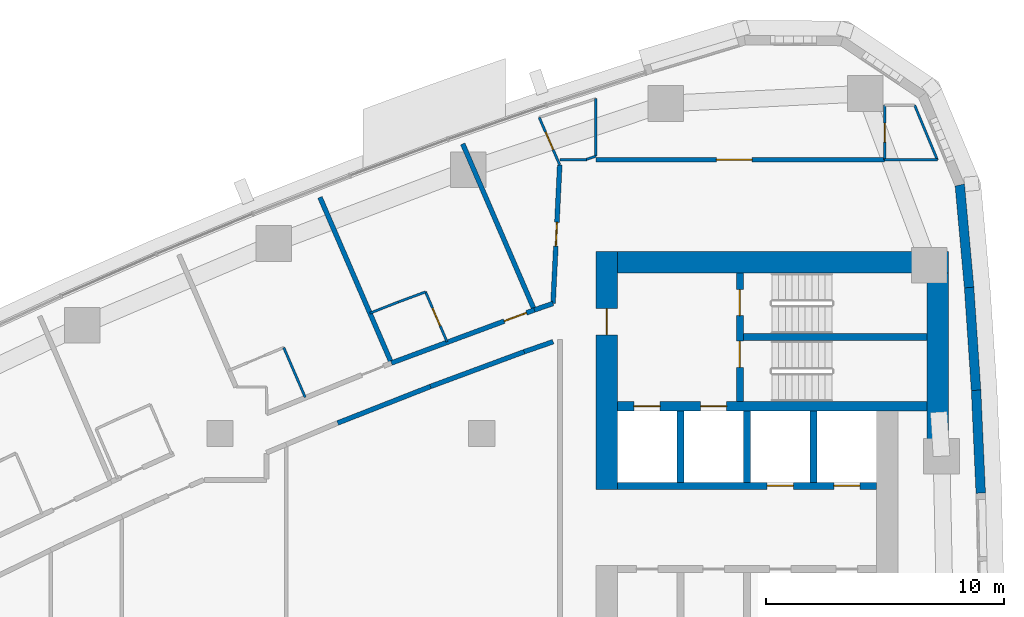
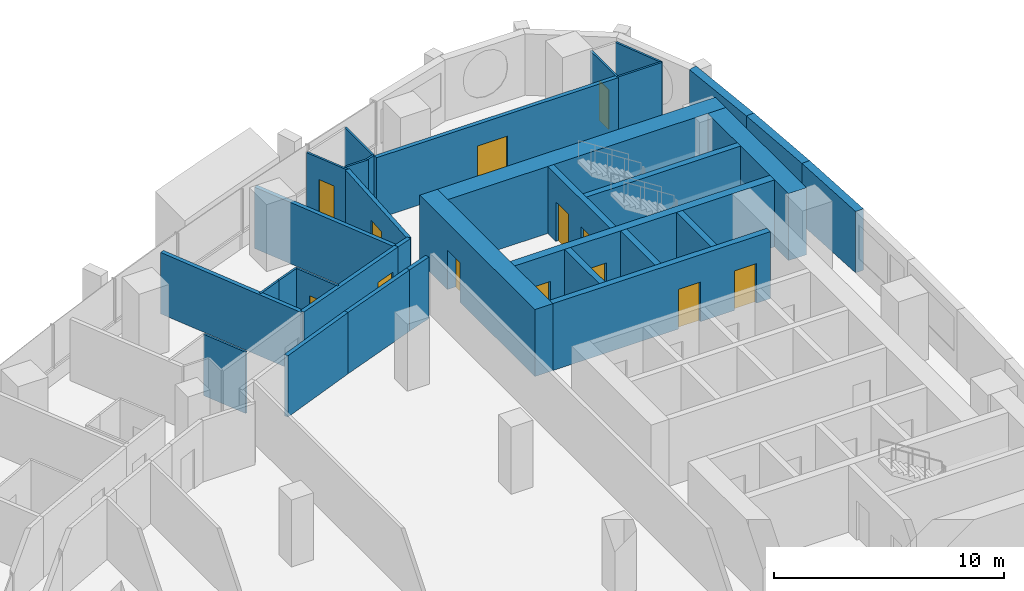
# One storey, part 12 of 17: 33 walls, 13 doors, 13 openings.
"""IFC4 building model written with IfcOpenShell, lengths in metres."""

from ifc_helpers import new_model, si_unit, direction, frame, frame_2d, origin, place, context, subcontext, project, spatial, polyline, rectangle, outline, extrude, material, layer, layer_set, type_object, element, fill, save


model = new_model("IFC4")

# Units and contexts
model_context = context("Model", 3, precision=1e-05, world=origin(), true_north=direction((0.0, 1.0)))
body_context = subcontext(model_context, "Body", "Model", "MODEL_VIEW")
ifc_project = project(units=[si_unit("LENGTHUNIT", "METRE"), si_unit("AREAUNIT", "SQUARE_METRE"), si_unit("VOLUMEUNIT", "CUBIC_METRE"), si_unit("PLANEANGLEUNIT", "RADIAN"), si_unit("MASSUNIT", "GRAM", prefix="KILO")], contexts=[model_context])

# Site, building, storey
site_placement = place(None, origin())
site = spatial("IfcSite", under=ifc_project, at=site_placement, CompositionType="ELEMENT")
building_placement = place(site_placement, origin())
building = spatial("IfcBuilding", under=site, at=building_placement, Name="Ostrand Prow Hotel Tower", CompositionType="ELEMENT")
storey_placement = place(building_placement, frame((0.0, 0.0, 151.5)))
storey = spatial("IfcBuildingStorey", under=building, at=storey_placement, Name="L37", CompositionType="ELEMENT", Elevation=151.5)

# Wall, openings, doors
ifc_material_1 = material(Name="Concrete C70/85", Category="concrete")
ifc_layer_1 = layer(ifc_material_1, 0.300048828125)
ifc_layer_set_1 = layer_set([ifc_layer_1], Name="Concrete C70/85")
wall_type_1 = type_object("IfcWallType", Name="Core wall 300 C70/85", PredefinedType="SHEAR", material=ifc_layer_set_1)
wall_1_placement = place(storey_placement, frame((50.699951171875, 6.800048828125, 0.0), z_axis=(0.0, 0.0, 1.0), x_axis=(1.0, 0.0, 0.0)))
wall_1 = element("IfcWall", 1, at=wall_1_placement, inside=storey, type_object=wall_type_1, Name="Core wall PW-L2-N", PredefinedType="SHEAR", context=body_context, shape_type="SweptSolid", body=[
    extrude(rectangle(XDim=10.900146484375, YDim=0.300048828125, at=frame_2d((5.4501953125, 0.0))), origin(), (0.0, 0.0, 1.0), 3.550048828125),
])
opening_1_placement = place(wall_1_placement, frame((6.300048828125, 0.0, 0.0)))
opening_1 = element("IfcOpeningElement", 2, at=opening_1_placement, cuts=wall_1, Name="Opening LD", PredefinedType="OPENING", context=body_context, shape_type="SweptSolid", body=[
    extrude(rectangle(XDim=1.10009765625, YDim=2.10009765625, at=frame_2d((0.550048828125, 1.050048828125))), frame((0.0, 0.159912109375, 0.0), z_axis=(0.0, -1.0, 0.0), x_axis=(1.0, 0.0, 0.0)), (0.0, 0.0, 1.0), 0.320068359375),
])
opening_2_placement = place(wall_1_placement, frame((9.10009765625, 0.0, 0.0)))
opening_2 = element("IfcOpeningElement", 3, at=opening_2_placement, cuts=wall_1, Name="Opening LD", PredefinedType="OPENING", context=body_context, shape_type="SweptSolid", body=[
    extrude(rectangle(XDim=1.10009765625, YDim=2.10009765625, at=frame_2d((0.550048828125, 1.050048828125))), frame((0.0, 0.159912109375, 0.0), z_axis=(0.0, -1.0, 0.0), x_axis=(1.0, 0.0, 0.0)), (0.0, 0.0, 1.0), 0.320068359375),
])
ifc_material_2 = material(Name="Stainless steel door", Category="steel")
door_type_1 = type_object("IfcDoorType", Name="Lift landing door 1100", OperationType="DOUBLE_DOOR_SLIDING", PredefinedType="DOOR", material=ifc_material_2)
door_1_placement = place(opening_1_placement, origin())
door_1 = element("IfcDoor", 4, at=door_1_placement, inside=storey, type_object=door_type_1, Name="LIFT LANDING DOOR", OperationType="DOUBLE_DOOR_SLIDING", OverallHeight=2.10009765625, OverallWidth=1.10009765625, PredefinedType="DOOR", context=body_context, shape_type="SweptSolid", body=[
    extrude(rectangle(XDim=1.10009765625, YDim=2.10009765625, at=frame_2d((0.550048828125, 1.050048828125))), frame((0.0, 0.02490234375, 0.0), z_axis=(0.0, -1.0, 0.0), x_axis=(1.0, 0.0, 0.0)), (0.0, 0.0, 1.0), 0.050048828125),
])
fill(opening_1, door_1)
door_2_placement = place(opening_2_placement, origin())
door_2 = element("IfcDoor", 5, at=door_2_placement, inside=storey, type_object=door_type_1, Name="LIFT LANDING DOOR", OperationType="DOUBLE_DOOR_SLIDING", OverallHeight=2.10009765625, OverallWidth=1.10009765625, PredefinedType="DOOR", context=body_context, shape_type="SweptSolid", body=[
    extrude(rectangle(XDim=1.10009765625, YDim=2.10009765625, at=frame_2d((0.550048828125, 1.050048828125))), frame((0.0, 0.02490234375, 0.0), z_axis=(0.0, -1.0, 0.0), x_axis=(1.0, 0.0, 0.0)), (0.0, 0.0, 1.0), 0.050048828125),
])
fill(opening_2, door_2)

# Walls
for number, where, z_axis, x_axis, name in (
    (6, (53.35009765625, 6.949951171875, 0.0), (0.0, 0.0, 1.0), (0.0, 1.0, 0.0), "Core wall PW-R1-NA"),
    (7, (56.14990234375, 6.949951171875, 0.0), (0.0, 0.0, 1.0), (0.0, 1.0, 0.0), "Core wall PW-R2-NA"),
    (8, (58.949951171875, 6.949951171875, 0.0), (0.0, 0.0, 1.0), (0.0, 1.0, 0.0), "Core wall PW-R3-NA"),
):
    element("IfcWall", number, at=place(storey_placement, frame(where, z_axis=z_axis, x_axis=x_axis)), inside=storey, type_object=wall_type_1, Name=name, PredefinedType="SHEAR", context=body_context, shape_type="SweptSolid", body=[
        extrude(rectangle(XDim=3.0, YDim=0.300048828125, at=frame_2d((1.5, 0.0))), origin(), (0.0, 0.0, 1.0), 3.550048828125),
    ])

# Wall, openings, doors
wall_2_placement = place(storey_placement, frame((55.85009765625, 10.35009765625, 0.0), z_axis=(0.0, 0.0, 1.0), x_axis=(0.0, 1.0, 0.0)))
wall_2 = element("IfcWall", 9, at=wall_2_placement, inside=storey, type_object=wall_type_1, Name="Core wall PW-VN", PredefinedType="SHEAR", context=body_context, shape_type="SweptSolid", body=[
    extrude(rectangle(XDim=5.39990234375, YDim=0.300048828125, at=frame_2d((2.699951171875, 0.0))), origin(), (0.0, 0.0, 1.0), 3.550048828125),
])
opening_3_placement = place(wall_2_placement, frame((1.429931640625, 0.0, 0.0)))
opening_3 = element("IfcOpeningElement", 10, at=opening_3_placement, cuts=wall_2, Name="Opening FD1", PredefinedType="OPENING", context=body_context, shape_type="SweptSolid", body=[
    extrude(rectangle(XDim=1.10009765625, YDim=2.10009765625, at=frame_2d((0.550048828125, 1.050048828125))), frame((0.0, 0.159912109375, 0.0), z_axis=(0.0, -1.0, 0.0), x_axis=(1.0, 0.0, 0.0)), (0.0, 0.0, 1.0), 0.320068359375),
])
opening_4_placement = place(wall_2_placement, frame((3.60009765625, 0.0, 0.0)))
opening_4 = element("IfcOpeningElement", 11, at=opening_4_placement, cuts=wall_2, Name="Opening FD1", PredefinedType="OPENING", context=body_context, shape_type="SweptSolid", body=[
    extrude(rectangle(XDim=1.10009765625, YDim=2.10009765625, at=frame_2d((0.550048828125, 1.050048828125))), frame((0.0, 0.159912109375, 0.0), z_axis=(0.0, -1.0, 0.0), x_axis=(1.0, 0.0, 0.0)), (0.0, 0.0, 1.0), 0.320068359375),
])
ifc_material_3 = material(Name="Steel fire door", Category="steel")
door_type_2 = type_object("IfcDoorType", Name="Fire door 1100 EI120", OperationType="SINGLE_SWING_RIGHT", PredefinedType="DOOR", material=ifc_material_3)
door_3_placement = place(opening_3_placement, origin())
door_3 = element("IfcDoor", 12, at=door_3_placement, inside=storey, type_object=door_type_2, Name="FIRE DOOR", OperationType="SINGLE_SWING_RIGHT", OverallHeight=2.10009765625, OverallWidth=1.10009765625, PredefinedType="DOOR", context=body_context, shape_type="SweptSolid", body=[
    extrude(rectangle(XDim=1.10009765625, YDim=2.10009765625, at=frame_2d((0.550048828125, 1.050048828125))), frame((0.0, 0.02490234375, 0.0), z_axis=(0.0, -1.0, 0.0), x_axis=(1.0, 0.0, 0.0)), (0.0, 0.0, 1.0), 0.050048828125),
])
fill(opening_3, door_3)
door_4_placement = place(opening_4_placement, origin())
door_4 = element("IfcDoor", 13, at=door_4_placement, inside=storey, type_object=door_type_2, Name="FIRE DOOR", OperationType="SINGLE_SWING_RIGHT", OverallHeight=2.10009765625, OverallWidth=1.10009765625, PredefinedType="DOOR", context=body_context, shape_type="SweptSolid", body=[
    extrude(rectangle(XDim=1.10009765625, YDim=2.10009765625, at=frame_2d((0.550048828125, 1.050048828125))), frame((0.0, 0.02490234375, 0.0), z_axis=(0.0, -1.0, 0.0), x_axis=(1.0, 0.0, 0.0)), (0.0, 0.0, 1.0), 0.050048828125),
])
fill(opening_4, door_4)

# Wall
wall_3_placement = place(storey_placement, frame((56.0, 13.050048828125, 0.0), z_axis=(0.0, 0.0, 1.0), x_axis=(1.0, 0.0, 0.0)))
element("IfcWall", 14, at=wall_3_placement, inside=storey, type_object=wall_type_1, Name="Core wall PW-ST13", PredefinedType="SHEAR", context=body_context, shape_type="SweptSolid", body=[
    extrude(rectangle(XDim=7.719970703125, YDim=0.300048828125, at=frame_2d((3.85986328125, 0.0))), origin(), (0.0, 0.0, 1.0), 3.550048828125),
])

# Wall, openings, doors
ifc_material_4 = material(Name="Concrete C70/85", Category="concrete")
ifc_layer_2 = layer(ifc_material_4, 0.39990234375)
ifc_layer_set_2 = layer_set([ifc_layer_2], Name="Concrete C70/85")
wall_type_2 = type_object("IfcWallType", Name="Core wall 400 C70/85", PredefinedType="SHEAR", material=ifc_layer_set_2)
wall_4_placement = place(storey_placement, frame((50.699951171875, 10.14990234375, 0.0), z_axis=(0.0, 0.0, 1.0), x_axis=(1.0, 0.0, 0.0)))
wall_4 = element("IfcWall", 15, at=wall_4_placement, inside=storey, type_object=wall_type_2, Name="Core wall PW-BN", PredefinedType="SHEAR", context=body_context, shape_type="SweptSolid", body=[
    extrude(rectangle(XDim=13.02001953125, YDim=0.39990234375, at=frame_2d((6.510009765625, 0.0))), origin(), (0.0, 0.0, 1.0), 3.550048828125),
])
opening_5_placement = place(wall_4_placement, frame((0.699951171875, 0.0, 0.0)))
opening_5 = element("IfcOpeningElement", 16, at=opening_5_placement, cuts=wall_4, Name="Opening LD", PredefinedType="OPENING", context=body_context, shape_type="SweptSolid", body=[
    extrude(rectangle(XDim=1.10009765625, YDim=2.10009765625, at=frame_2d((0.550048828125, 1.050048828125))), frame((0.0, 0.2099609375, 0.0), z_axis=(0.0, -1.0, 0.0), x_axis=(1.0, 0.0, 0.0)), (0.0, 0.0, 1.0), 0.419921875),
])
opening_6_placement = place(wall_4_placement, frame((3.5, 0.0, 0.0)))
opening_6 = element("IfcOpeningElement", 17, at=opening_6_placement, cuts=wall_4, Name="Opening LD", PredefinedType="OPENING", context=body_context, shape_type="SweptSolid", body=[
    extrude(rectangle(XDim=1.10009765625, YDim=2.10009765625, at=frame_2d((0.550048828125, 1.050048828125))), frame((0.0, 0.2099609375, 0.0), z_axis=(0.0, -1.0, 0.0), x_axis=(1.0, 0.0, 0.0)), (0.0, 0.0, 1.0), 0.419921875),
])
door_5_placement = place(opening_5_placement, origin())
door_5 = element("IfcDoor", 18, at=door_5_placement, inside=storey, type_object=door_type_1, Name="LIFT LANDING DOOR", OperationType="DOUBLE_DOOR_SLIDING", OverallHeight=2.10009765625, OverallWidth=1.10009765625, PredefinedType="DOOR", context=body_context, shape_type="SweptSolid", body=[
    extrude(rectangle(XDim=1.10009765625, YDim=2.10009765625, at=frame_2d((0.550048828125, 1.050048828125))), frame((0.0, 0.02490234375, 0.0), z_axis=(0.0, -1.0, 0.0), x_axis=(1.0, 0.0, 0.0)), (0.0, 0.0, 1.0), 0.050048828125),
])
fill(opening_5, door_5)
door_6_placement = place(opening_6_placement, origin())
door_6 = element("IfcDoor", 19, at=door_6_placement, inside=storey, type_object=door_type_1, Name="LIFT LANDING DOOR", OperationType="DOUBLE_DOOR_SLIDING", OverallHeight=2.10009765625, OverallWidth=1.10009765625, PredefinedType="DOOR", context=body_context, shape_type="SweptSolid", body=[
    extrude(rectangle(XDim=1.10009765625, YDim=2.10009765625, at=frame_2d((0.550048828125, 1.050048828125))), frame((0.0, 0.02490234375, 0.0), z_axis=(0.0, -1.0, 0.0), x_axis=(1.0, 0.0, 0.0)), (0.0, 0.0, 1.0), 0.050048828125),
])
fill(opening_6, door_6)

# Wall, opening, door
ifc_material_5 = material(Name="Concrete C70/85", Category="concrete")
ifc_layer_3 = layer(ifc_material_5, 0.89990234375)
ifc_layer_set_3 = layer_set([ifc_layer_3], Name="Concrete C70/85")
wall_type_3 = type_object("IfcWallType", Name="Core wall 900 C70/85", PredefinedType="SHEAR", material=ifc_layer_set_3)
wall_5_placement = place(storey_placement, frame((50.25, 6.64990234375, 0.0), z_axis=(0.0, 0.0, 1.0), x_axis=(0.0, 1.0, 0.0)))
wall_5 = element("IfcWall", 20, at=wall_5_placement, inside=storey, type_object=wall_type_3, Name="Core wall CW-W-N", PredefinedType="SHEAR", context=body_context, shape_type="SweptSolid", body=[
    extrude(rectangle(XDim=10.0, YDim=0.89990234375, at=frame_2d((5.0, 0.0))), origin(), (0.0, 0.0, 1.0), 3.550048828125),
])
opening_7_placement = place(wall_5_placement, frame((6.5, 0.0, 0.0)))
opening_7 = element("IfcOpeningElement", 21, at=opening_7_placement, cuts=wall_5, Name="Opening FD1", PredefinedType="OPENING", context=body_context, shape_type="SweptSolid", body=[
    extrude(rectangle(XDim=1.10009765625, YDim=2.10009765625, at=frame_2d((0.550048828125, 1.050048828125))), frame((0.0, 0.4599609375, 0.0), z_axis=(0.0, -1.0, 0.0), x_axis=(1.0, 0.0, 0.0)), (0.0, 0.0, 1.0), 0.919921875),
])
door_7_placement = place(opening_7_placement, origin())
door_7 = element("IfcDoor", 22, at=door_7_placement, inside=storey, type_object=door_type_2, Name="FIRE DOOR", OperationType="SINGLE_SWING_RIGHT", OverallHeight=2.10009765625, OverallWidth=1.10009765625, PredefinedType="DOOR", context=body_context, shape_type="SweptSolid", body=[
    extrude(rectangle(XDim=1.10009765625, YDim=2.10009765625, at=frame_2d((0.550048828125, 1.050048828125))), frame((0.0, 0.02490234375, 0.0), z_axis=(0.0, -1.0, 0.0), x_axis=(1.0, 0.0, 0.0)), (0.0, 0.0, 1.0), 0.050048828125),
])
fill(opening_7, door_7)

# Walls
wall_6_placement = place(storey_placement, frame((50.699951171875, 16.199951171875, 0.0), z_axis=(0.0, 0.0, 1.0), x_axis=(1.0, 0.0, 0.0)))
element("IfcWall", 23, at=wall_6_placement, inside=storey, type_object=wall_type_3, Name="Core wall CW-N", PredefinedType="SHEAR", context=body_context, shape_type="SweptSolid", body=[
    extrude(rectangle(XDim=13.920166015625, YDim=0.89990234375, at=frame_2d((6.9599609375, 0.0))), origin(), (0.0, 0.0, 1.0), 3.550048828125),
])
wall_7_placement = place(storey_placement, frame((64.169921875, 8.74462890625, 0.0), z_axis=(0.0, 0.0, 1.0), x_axis=(0.0, 1.0, 0.0)))
element("IfcWall", 24, at=wall_7_placement, inside=storey, type_object=wall_type_3, Name="Core wall CW-E-N", PredefinedType="SHEAR", context=body_context, shape_type="SweptSolid", body=[
    extrude(rectangle(XDim=7.00537109375, YDim=0.89990234375, at=frame_2d((3.502685546875, 0.0))), origin(), (0.0, 0.0, 1.0), 3.550048828125),
])

# Wall, opening, door
ifc_material_6 = material(Name="Plasterboard partition")
ifc_layer_4 = layer(ifc_material_6, 0.10009765625)
ifc_layer_set_4 = layer_set([ifc_layer_4], Name="Plasterboard partition")
wall_type_4 = type_object("IfcWallType", Name="Partition 100 bathroom wall", PredefinedType="PARTITIONING", material=ifc_layer_set_4)
wall_8_placement = place(storey_placement, frame((61.9375, 20.5, 0.0), z_axis=(0.0, 0.0, 1.0), x_axis=(0.0, 1.0, 0.0)))
wall_8 = element("IfcWall", 25, at=wall_8_placement, inside=storey, type_object=wall_type_4, Name="BATHROOM WALL", PredefinedType="PARTITIONING", context=body_context, shape_type="SweptSolid", body=[
    extrude(rectangle(XDim=2.300048828125, YDim=0.10009765625, at=frame_2d((1.14990234375, 0.0))), origin(), (0.0, 0.0, 1.0), 3.25),
])
opening_8_placement = place(wall_8_placement, frame((0.75, 0.0, 0.0)))
opening_8 = element("IfcOpeningElement", 26, at=opening_8_placement, cuts=wall_8, Name="Opening D2", PredefinedType="OPENING", context=body_context, shape_type="SweptSolid", body=[
    extrude(rectangle(XDim=0.800048828125, YDim=2.10009765625, at=frame_2d((0.39990234375, 1.050048828125))), frame((0.0, 0.06005859375, 0.0), z_axis=(0.0, -1.0, 0.0), x_axis=(1.0, 0.0, 0.0)), (0.0, 0.0, 1.0), 0.1201171875),
])
ifc_material_7 = material(Name="Timber door leaf", Category="wood")
door_type_3 = type_object("IfcDoorType", Name="Bathroom door 800", OperationType="SINGLE_SWING_LEFT", PredefinedType="DOOR", material=ifc_material_7)
door_8_placement = place(opening_8_placement, origin())
door_8 = element("IfcDoor", 27, at=door_8_placement, inside=storey, type_object=door_type_3, Name="DOOR", OperationType="SINGLE_SWING_LEFT", OverallHeight=2.10009765625, OverallWidth=0.800048828125, PredefinedType="DOOR", context=body_context, shape_type="SweptSolid", body=[
    extrude(rectangle(XDim=0.800048828125, YDim=2.10009765625, at=frame_2d((0.39990234375, 1.050048828125))), frame((0.0, 0.02490234375, 0.0), z_axis=(0.0, -1.0, 0.0), x_axis=(1.0, 0.0, 0.0)), (0.0, 0.0, 1.0), 0.050048828125),
])
fill(opening_8, door_8)

# Walls
wall_9_placement = place(storey_placement, frame((36.676513671875, 12.61279296875, 0.0), z_axis=(0.0, 0.0, 1.0), x_axis=(0.395975890988, -0.918260907235, 0.0)))
element("IfcWall", 28, at=wall_9_placement, inside=storey, type_object=wall_type_4, Name="BATHROOM WALL", PredefinedType="PARTITIONING", context=body_context, shape_type="SweptSolid", body=[
    extrude(rectangle(XDim=2.27685546875, YDim=0.10009765625, at=frame_2d((1.138427734375, 0.0))), origin(), (0.0, 0.0, 1.0), 3.25),
])
wall_10_placement = place(storey_placement, frame((40.30029296875, 14.058349609375, 0.0), z_axis=(0.0, 0.0, 1.0), x_axis=(0.930605363194, 0.36602412215, 0.0)))
element("IfcWall", 29, at=wall_10_placement, inside=storey, type_object=wall_type_4, Name="BATHROOM WALL", PredefinedType="PARTITIONING", context=body_context, shape_type="SweptSolid", body=[
    extrude(rectangle(XDim=1.280029296875, YDim=0.10009765625, at=frame_2d((0.64013671875, 0.0))), origin(), (0.0, 0.0, 1.0), 3.25),
])
wall_11_placement = place(storey_placement, frame((41.491455078125, 14.527099609375, 0.0), z_axis=(0.0, 0.0, 1.0), x_axis=(0.937806575222, 0.34715821677, 0.0)))
element("IfcWall", 30, at=wall_11_placement, inside=storey, type_object=wall_type_4, Name="BATHROOM WALL", PredefinedType="PARTITIONING", context=body_context, shape_type="SweptSolid", body=[
    extrude(rectangle(XDim=1.22216796875, YDim=0.10009765625, at=frame_2d((0.611083984375, 0.0))), origin(), (0.0, 0.0, 1.0), 3.25),
])

# Wall, opening, door
wall_12_placement = place(storey_placement, frame((42.6376953125, 14.951416015625, 0.0), z_axis=(0.0, 0.0, 1.0), x_axis=(0.396050400308, -0.918228773463, 0.0)))
wall_12 = element("IfcWall", 31, at=wall_12_placement, inside=storey, type_object=wall_type_4, Name="BATHROOM WALL", PredefinedType="PARTITIONING", context=body_context, shape_type="SweptSolid", body=[
    extrude(rectangle(XDim=2.2802734375, YDim=0.10009765625, at=frame_2d((1.14013671875, 0.0))), origin(), (0.0, 0.0, 1.0), 3.25),
])
opening_9_placement = place(wall_12_placement, frame((0.75, 0.0, 0.0)))
opening_9 = element("IfcOpeningElement", 32, at=opening_9_placement, cuts=wall_12, Name="Opening D2", PredefinedType="OPENING", context=body_context, shape_type="SweptSolid", body=[
    extrude(rectangle(XDim=0.800048828125, YDim=2.10009765625, at=frame_2d((0.39990234375, 1.050048828125))), frame((0.0, 0.06005859375, 0.0), z_axis=(0.0, -1.0, 0.0), x_axis=(1.0, 0.0, 0.0)), (0.0, 0.0, 1.0), 0.1201171875),
])
door_9_placement = place(opening_9_placement, origin())
door_9 = element("IfcDoor", 33, at=door_9_placement, inside=storey, type_object=door_type_3, Name="DOOR", OperationType="SINGLE_SWING_LEFT", OverallHeight=2.10009765625, OverallWidth=0.800048828125, PredefinedType="DOOR", context=body_context, shape_type="SweptSolid", body=[
    extrude(rectangle(XDim=0.800048828125, YDim=2.10009765625, at=frame_2d((0.39990234375, 1.050048828125))), frame((0.0, 0.02490234375, 0.0), z_axis=(0.0, -1.0, 0.0), x_axis=(1.0, 0.0, 0.0)), (0.0, 0.0, 1.0), 0.050048828125),
])
fill(opening_9, door_9)

wall_13_placement = place(storey_placement, frame((48.27880859375, 20.28857421875, 0.0), z_axis=(0.0, 0.0, 1.0), x_axis=(-0.396028123143, 0.918238381729, 0.0)))
wall_13 = element("IfcWall", 34, at=wall_13_placement, inside=storey, type_object=wall_type_4, Name="BATHROOM WALL", PredefinedType="PARTITIONING", context=body_context, shape_type="SweptSolid", body=[
    extrude(rectangle(XDim=2.1787109375, YDim=0.10009765625, at=frame_2d((1.08935546875, 0.0))), origin(), (0.0, 0.0, 1.0), 3.25),
])
opening_10_placement = place(wall_13_placement, frame((0.699951171875, 0.0, 0.0)))
opening_10 = element("IfcOpeningElement", 35, at=opening_10_placement, cuts=wall_13, Name="Opening D2", PredefinedType="OPENING", context=body_context, shape_type="SweptSolid", body=[
    extrude(rectangle(XDim=0.800048828125, YDim=2.10009765625, at=frame_2d((0.39990234375, 1.050048828125))), frame((0.0, 0.06005859375, 0.0), z_axis=(0.0, -1.0, 0.0), x_axis=(1.0, 0.0, 0.0)), (0.0, 0.0, 1.0), 0.1201171875),
])
door_10_placement = place(opening_10_placement, origin())
door_10 = element("IfcDoor", 36, at=door_10_placement, inside=storey, type_object=door_type_3, Name="DOOR", OperationType="SINGLE_SWING_LEFT", OverallHeight=2.10009765625, OverallWidth=0.800048828125, PredefinedType="DOOR", context=body_context, shape_type="SweptSolid", body=[
    extrude(rectangle(XDim=0.800048828125, YDim=2.10009765625, at=frame_2d((0.39990234375, 1.050048828125))), frame((0.0, 0.02490234375, 0.0), z_axis=(0.0, -1.0, 0.0), x_axis=(1.0, 0.0, 0.0)), (0.0, 0.0, 1.0), 0.050048828125),
])
fill(opening_10, door_10)

# Walls
wall_14_placement = place(storey_placement, frame((63.1982421875, 22.800048828125, 0.0), z_axis=(0.0, 0.0, 1.0), x_axis=(0.383855043906, -0.923393364319, 0.0)))
element("IfcWall", 37, at=wall_14_placement, inside=storey, type_object=wall_type_4, Name="BATHROOM WALL", PredefinedType="PARTITIONING", context=body_context, shape_type="SweptSolid", body=[
    extrude(rectangle(XDim=2.485595703125, YDim=0.10009765625, at=frame_2d((1.24267578125, 0.0))), origin(), (0.0, 0.0, 1.0), 3.25),
])
wall_15_placement = place(storey_placement, frame((64.15234375, 20.5048828125, 0.0), z_axis=(0.0, 0.0, 1.0), x_axis=(-1.0, 0.0, 0.0)))
element("IfcWall", 38, at=wall_15_placement, inside=storey, type_object=wall_type_4, Name="BATHROOM WALL", PredefinedType="PARTITIONING", context=body_context, shape_type="SweptSolid", body=[
    extrude(rectangle(XDim=2.21484375, YDim=0.10009765625, at=frame_2d((1.107421875, 0.0))), origin(), (0.0, 0.0, 1.0), 3.25),
])
wall_16_placement = place(storey_placement, frame((49.800048828125, 23.07421875, 0.0), z_axis=(0.0, 0.0, 1.0), x_axis=(0.0, -1.0, 0.0)))
element("IfcWall", 39, at=wall_16_placement, inside=storey, type_object=wall_type_4, Name="BATHROOM WALL", PredefinedType="PARTITIONING", context=body_context, shape_type="SweptSolid", body=[
    extrude(rectangle(XDim=2.41845703125, YDim=0.10009765625, at=frame_2d((1.209228515625, 0.0))), origin(), (0.0, 0.0, 1.0), 3.25),
])
wall_17_placement = place(storey_placement, frame((49.800048828125, 20.65576171875, 0.0), z_axis=(0.0, 0.0, 1.0), x_axis=(-0.950681805248, -0.310167866115, 0.0)))
element("IfcWall", 40, at=wall_17_placement, inside=storey, type_object=wall_type_4, Name="BATHROOM WALL", PredefinedType="PARTITIONING", context=body_context, shape_type="SweptSolid", body=[
    extrude(rectangle(XDim=0.423583984375, YDim=0.10009765625, at=frame_2d((0.2119140625, 0.0))), origin(), (0.0, 0.0, 1.0), 3.25),
])
wall_18_placement = place(storey_placement, frame((49.433837890625, 20.5048828125, 0.0), z_axis=(0.0, 0.0, 1.0), x_axis=(-1.0, 0.0, 0.0)))
element("IfcWall", 41, at=wall_18_placement, inside=storey, type_object=wall_type_4, Name="BATHROOM WALL", PredefinedType="PARTITIONING", context=body_context, shape_type="SweptSolid", body=[
    extrude(rectangle(XDim=1.13525390625, YDim=0.10009765625, at=frame_2d((0.567626953125, 0.0))), origin(), (0.0, 0.0, 1.0), 3.25),
])

# Wall, opening, door
ifc_material_8 = material(Name="Plasterboard partition")
ifc_layer_5 = layer(ifc_material_8, 0.199951171875)
ifc_layer_set_5 = layer_set([ifc_layer_5], Name="Plasterboard partition")
wall_type_5 = type_object("IfcWallType", Name="Partition 200 corridor wall", PredefinedType="PARTITIONING", material=ifc_layer_set_5)
wall_19_placement = place(storey_placement, frame((47.2119140625, 14.193115234375, 0.0), z_axis=(0.0, 0.0, 1.0), x_axis=(-0.93753535833, -0.347889999686, 0.0)))
wall_19 = element("IfcWall", 42, at=wall_19_placement, inside=storey, type_object=wall_type_5, Name="CORRIDOR WALL", PredefinedType="PARTITIONING", context=body_context, shape_type="SweptSolid", body=[
    extrude(rectangle(XDim=6.40869140625, YDim=0.199951171875, at=frame_2d((3.204345703125, 0.0))), origin(), (0.0, 0.0, 1.0), 3.25),
])
opening_11_placement = place(wall_19_placement, frame((0.35009765625, 0.0, 0.0)))
opening_11 = element("IfcOpeningElement", 43, at=opening_11_placement, cuts=wall_19, Name="Opening D1R", PredefinedType="OPENING", context=body_context, shape_type="SweptSolid", body=[
    extrude(rectangle(XDim=1.0, YDim=2.10009765625, at=frame_2d((0.5, 1.050048828125))), frame((0.0, 0.10986328125, 0.0), z_axis=(0.0, -1.0, 0.0), x_axis=(1.0, 0.0, 0.0)), (0.0, 0.0, 1.0), 0.219970703125),
])
ifc_material_9 = material(Name="Timber door leaf", Category="wood")
door_type_4 = type_object("IfcDoorType", Name="Guest room door 1000 right", OperationType="SINGLE_SWING_RIGHT", PredefinedType="DOOR", material=ifc_material_9)
door_11_placement = place(opening_11_placement, origin())
door_11 = element("IfcDoor", 44, at=door_11_placement, inside=storey, type_object=door_type_4, Name="DOOR", OperationType="SINGLE_SWING_RIGHT", OverallHeight=2.10009765625, OverallWidth=1.0, PredefinedType="DOOR", context=body_context, shape_type="SweptSolid", body=[
    extrude(rectangle(XDim=1.0, YDim=2.10009765625, at=frame_2d((0.5, 1.050048828125))), frame((0.0, 0.02490234375, 0.0), z_axis=(0.0, -1.0, 0.0), x_axis=(1.0, 0.0, 0.0)), (0.0, 0.0, 1.0), 0.050048828125),
])
fill(opening_11, door_11)

# Walls
for number, where, z_axis, x_axis, name in (
    (45, (38.943115234375, 9.44091796875, 0.0), (0.0, 0.0, 1.0), (0.930576677263, 0.36609704688, 0.0), "CORRIDOR WALL"),
    (46, (42.84716796875, 10.976806640625, 0.0), (0.0, 0.0, 1.0), (0.937732614305, 0.347357948044, 0.0), "CORRIDOR WALL"),
):
    element("IfcWall", number, at=place(storey_placement, frame(where, z_axis=z_axis, x_axis=x_axis)), inside=storey, type_object=wall_type_5, Name=name, PredefinedType="PARTITIONING", context=body_context, shape_type="SweptSolid", body=[
        extrude(rectangle(XDim=4.1953125, YDim=0.199951171875, at=frame_2d((2.09765625, 0.0))), origin(), (0.0, 0.0, 1.0), 3.25),
    ])

# Wall, opening, door
wall_20_placement = place(storey_placement, frame((61.9326171875, 20.5048828125, 0.0), z_axis=(0.0, 0.0, 1.0), x_axis=(-1.0, 0.0, 0.0)))
wall_20 = element("IfcWall", 47, at=wall_20_placement, inside=storey, type_object=wall_type_5, Name="CORRIDOR WALL", PredefinedType="PARTITIONING", context=body_context, shape_type="SweptSolid", body=[
    extrude(rectangle(XDim=12.132568359375, YDim=0.199951171875, at=frame_2d((6.06640625, 0.0))), origin(), (0.0, 0.0, 1.0), 3.25),
])
opening_12_placement = place(wall_20_placement, frame((5.56640625, 0.0, 0.0)))
opening_12 = element("IfcOpeningElement", 48, at=opening_12_placement, cuts=wall_20, Name="Opening D15", PredefinedType="OPENING", context=body_context, shape_type="SweptSolid", body=[
    extrude(rectangle(XDim=1.5, YDim=2.10009765625, at=frame_2d((0.75, 1.050048828125))), frame((0.0, 0.10986328125, 0.0), z_axis=(0.0, -1.0, 0.0), x_axis=(1.0, 0.0, 0.0)), (0.0, 0.0, 1.0), 0.219970703125),
])
ifc_material_10 = material(Name="Timber door leaf", Category="wood")
door_type_5 = type_object("IfcDoorType", Name="Double door 1500", OperationType="DOUBLE_DOOR_SINGLE_SWING", PredefinedType="DOOR", material=ifc_material_10)
door_12_placement = place(opening_12_placement, origin())
door_12 = element("IfcDoor", 49, at=door_12_placement, inside=storey, type_object=door_type_5, Name="DOOR", OperationType="DOUBLE_DOOR_SINGLE_SWING", OverallHeight=2.10009765625, OverallWidth=1.5, PredefinedType="DOOR", context=body_context, shape_type="SweptSolid", body=[
    extrude(rectangle(XDim=1.5, YDim=2.10009765625, at=frame_2d((0.75, 1.050048828125))), frame((0.0, 0.02490234375, 0.0), z_axis=(0.0, -1.0, 0.0), x_axis=(1.0, 0.0, 0.0)), (0.0, 0.0, 1.0), 0.050048828125),
])
fill(opening_12, door_12)

# Walls
wall_21_placement = place(storey_placement, frame((48.0, 14.467041015625, 0.0), z_axis=(0.0, 0.0, 1.0), x_axis=(-0.944567831704, -0.32831632812, 0.0)))
element("IfcWall", 50, at=wall_21_placement, inside=storey, type_object=wall_type_5, Name="CORRIDOR WALL", PredefinedType="PARTITIONING", context=body_context, shape_type="SweptSolid", body=[
    extrude(rectangle(XDim=0.834228515625, YDim=0.199951171875, at=frame_2d((0.4169921875, 0.0))), origin(), (0.0, 0.0, 1.0), 3.25),
])
wall_22_placement = place(storey_placement, frame((46.78125, 12.43408203125, 0.0), z_axis=(0.0, 0.0, 1.0), x_axis=(0.944517215109, 0.328461916152, 0.0)))
element("IfcWall", 51, at=wall_22_placement, inside=storey, type_object=wall_type_5, Name="CORRIDOR WALL", PredefinedType="PARTITIONING", context=body_context, shape_type="SweptSolid", body=[
    extrude(rectangle(XDim=1.290283203125, YDim=0.199951171875, at=frame_2d((0.64501953125, 0.0))), origin(), (0.0, 0.0, 1.0), 3.25),
])

# Wall, opening, door
wall_23_placement = place(storey_placement, frame((48.27880859375, 20.28857421875, 0.0), z_axis=(0.0, 0.0, 1.0), x_axis=(-0.047837808481, -0.998855116661, 0.0)))
wall_23 = element("IfcWall", 52, at=wall_23_placement, inside=storey, type_object=wall_type_5, Name="CORRIDOR WALL", PredefinedType="PARTITIONING", context=body_context, shape_type="SweptSolid", body=[
    extrude(rectangle(XDim=5.828125, YDim=0.199951171875, at=frame_2d((2.9140625, 0.0))), origin(), (0.0, 0.0, 1.0), 3.25),
])
opening_13_placement = place(wall_23_placement, frame((2.4140625, 0.0, 0.0)))
opening_13 = element("IfcOpeningElement", 53, at=opening_13_placement, cuts=wall_23, Name="Opening D1", PredefinedType="OPENING", context=body_context, shape_type="SweptSolid", body=[
    extrude(rectangle(XDim=1.0, YDim=2.10009765625, at=frame_2d((0.5, 1.050048828125))), frame((0.0, 0.10986328125, 0.0), z_axis=(0.0, -1.0, 0.0), x_axis=(1.0, 0.0, 0.0)), (0.0, 0.0, 1.0), 0.219970703125),
])
ifc_material_11 = material(Name="Timber door leaf", Category="wood")
door_type_6 = type_object("IfcDoorType", Name="Guest room door 1000", OperationType="SINGLE_SWING_LEFT", PredefinedType="DOOR", material=ifc_material_11)
door_13_placement = place(opening_13_placement, origin())
door_13 = element("IfcDoor", 54, at=door_13_placement, inside=storey, type_object=door_type_6, Name="DOOR", OperationType="SINGLE_SWING_LEFT", OverallHeight=2.10009765625, OverallWidth=1.0, PredefinedType="DOOR", context=body_context, shape_type="SweptSolid", body=[
    extrude(rectangle(XDim=1.0, YDim=2.10009765625, at=frame_2d((0.5, 1.050048828125))), frame((0.0, 0.02490234375, 0.0), z_axis=(0.0, -1.0, 0.0), x_axis=(1.0, 0.0, 0.0)), (0.0, 0.0, 1.0), 0.050048828125),
])
fill(opening_13, door_13)

# Walls
ifc_material_12 = material(Name="Plasterboard partition")
ifc_layer_6 = layer(ifc_material_12, 0.199951171875)
ifc_layer_set_6 = layer_set([ifc_layer_6], Name="Plasterboard partition")
wall_type_6 = type_object("IfcWallType", Name="Partition 200 key partition", PredefinedType="PARTITIONING", material=ifc_layer_set_6)
wall_24_placement = place(storey_placement, frame((41.211669921875, 11.9453125, 0.0), z_axis=(0.0, 0.0, 1.0), x_axis=(-0.396014676371, 0.918244181086, 0.0)))
element("IfcWall", 55, at=wall_24_placement, inside=storey, type_object=wall_type_6, Name="KEY PARTITION", PredefinedType="PARTITIONING", context=body_context, shape_type="SweptSolid", body=[
    extrude(rectangle(XDim=7.603759765625, YDim=0.199951171875, at=frame_2d((3.8017578125, 0.0))), origin(), (0.0, 0.0, 1.0), 3.25),
])
wall_25_placement = place(storey_placement, frame((47.219970703125, 14.1748046875, 0.0), z_axis=(0.0, 0.0, 1.0), x_axis=(-0.39600636385, 0.918247766014, 0.0)))
element("IfcWall", 56, at=wall_25_placement, inside=storey, type_object=wall_type_6, Name="KEY PARTITION", PredefinedType="PARTITIONING", context=body_context, shape_type="SweptSolid", body=[
    extrude(rectangle(XDim=7.6201171875, YDim=0.199951171875, at=frame_2d((3.81005859375, 0.0))), origin(), (0.0, 0.0, 1.0), 3.25),
])
ifc_material_13 = material(Name="Precast concrete C40/50", Category="concrete")
ifc_layer_7 = layer(ifc_material_13, 0.39990234375)
ifc_layer_set_7 = layer_set([ifc_layer_7], Name="Precast concrete C40/50")
wall_type_7 = type_object("IfcWallType", Name="Stone-faced precast wall 400 mm", PredefinedType="NOTDEFINED", material=ifc_layer_set_7)
for number, where, z_axis, x_axis, name in (
    (57, (65.977783203125, 6.4921875, 0.0), (0.0, 0.0, 1.0), (-0.045228592312, 0.99897666361, 0.0), "Stone-faced wall back 11"),
    (58, (65.781982421875, 10.81689453125, 0.0), (0.0, 0.0, 1.0), (-0.067731727279, 0.997703569764, 0.0), "Stone-faced wall back 12"),
):
    element("IfcWall", number, at=place(storey_placement, frame(where, z_axis=z_axis, x_axis=x_axis)), inside=storey, type_object=wall_type_7, Name=name, PredefinedType="NOTDEFINED", context=body_context, shape_type="SweptSolid", body=[
        extrude(outline(polyline([(-0.002197265625, -0.199951171875), (4.331298828125, -0.199951171875), (4.326904296875, 0.199951171875), (0.002197265625, 0.199951171875), (-0.002197265625, -0.199951171875)])), origin(), (0.0, 0.0, 1.0), 3.25),
    ])
wall_26_placement = place(storey_placement, frame((65.48876953125, 15.135986328125, 0.0), z_axis=(0.0, 0.0, 1.0), x_axis=(-0.090296735989, 0.995914905737, 0.0)))
element("IfcWall", 59, at=wall_26_placement, inside=storey, type_object=wall_type_7, Name="Stone-faced wall back 13", PredefinedType="NOTDEFINED", context=body_context, shape_type="SweptSolid", body=[
    extrude(outline(polyline([(-0.002197265625, -0.199951171875), (4.359130859375, -0.199951171875), (4.298095703125, 0.199951171875), (0.002197265625, 0.199951171875), (-0.002197265625, -0.199951171875)])), origin(), (0.0, 0.0, 1.0), 3.25),
])

save(model, "model.ifc")
